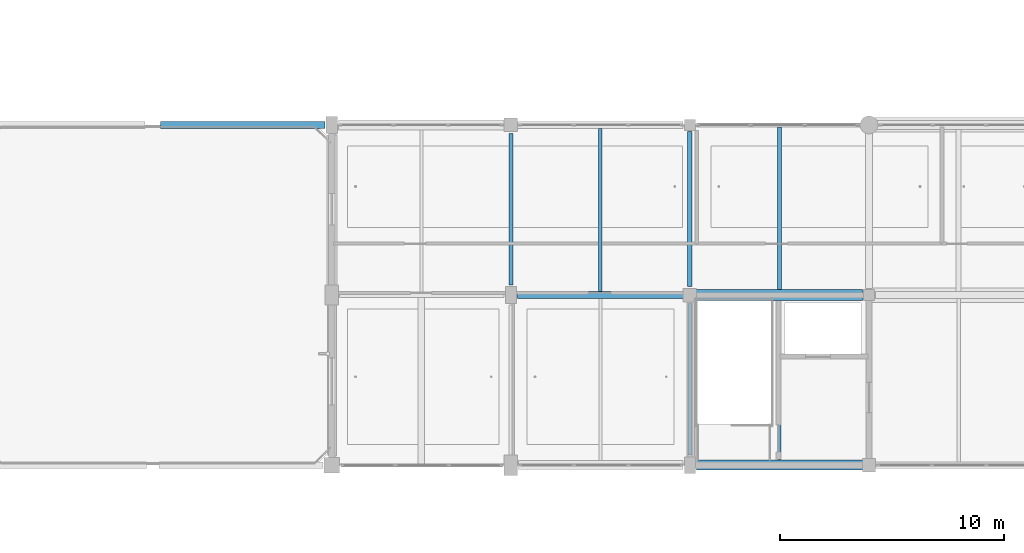
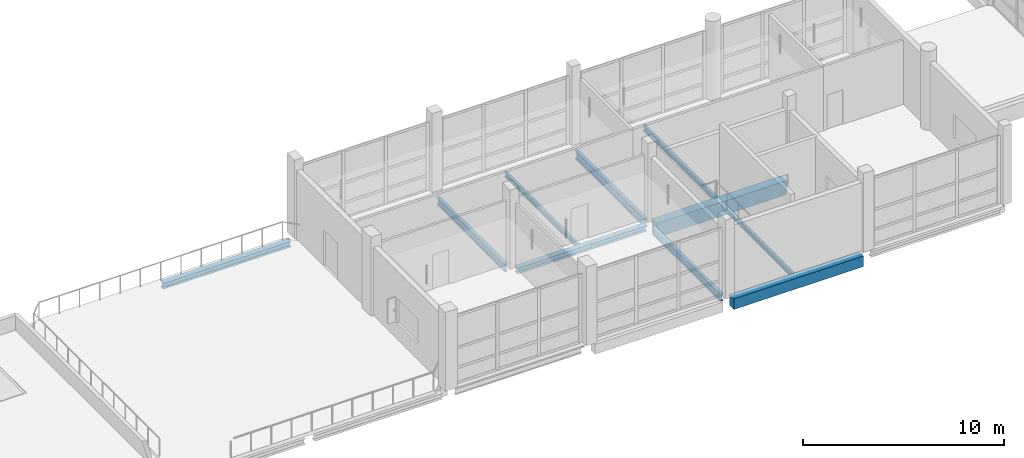
# One storey, part 21 of 107: 10 beams.
"""IFC4 building model written with IfcOpenShell, lengths in metres."""

from ifc_helpers import new_model, si_unit, direction, frame, origin, origin_2d, place, context, subcontext, project, spatial, rectangle, i_section, extrude, material, material_profile, profile_set, type_object, element, save


model = new_model("IFC4")

# Units and contexts
model_context = context("Model", 3, precision=1e-05, world=origin(), true_north=direction((0.0, 1.0)))
body_context = subcontext(model_context, "Body", "Model", "MODEL_VIEW")
ifc_project = project(units=[si_unit("LENGTHUNIT", "METRE"), si_unit("AREAUNIT", "SQUARE_METRE"), si_unit("VOLUMEUNIT", "CUBIC_METRE"), si_unit("PLANEANGLEUNIT", "RADIAN"), si_unit("MASSUNIT", "GRAM", prefix="KILO")], contexts=[model_context])

# Site, building, storey
site_placement = place(None, origin())
site = spatial("IfcSite", under=ifc_project, at=site_placement, CompositionType="ELEMENT")
building_placement = place(site_placement, origin())
building = spatial("IfcBuilding", under=site, at=building_placement, Name="Khelvaren Railside Concert Hall", CompositionType="ELEMENT")
storey_placement = place(building_placement, frame((0.0, 0.0, 15.0)))
storey = spatial("IfcBuildingStorey", under=building, at=storey_placement, Name="L03", CompositionType="ELEMENT", Elevation=15.0)

# Beams
ifc_material_1 = material(Name="Steel S355", Category="steel")
ifc_material_profile_1 = material_profile(ifc_material_1, i_section(OverallWidth=0.199951171875, OverallDepth=0.5, WebThickness=0.01025390625, FlangeThickness=0.01611328125, FilletRadius=0.02099609375, at=origin_2d()), Name="IPE 500")
ifc_profile_set_1 = profile_set([ifc_material_profile_1], Name="Steel S355")
beam_type_1 = type_object("IfcBeamType", Name="BM62", PredefinedType="BEAM", material=ifc_profile_set_1)
beam_1_placement = place(storey_placement, frame((120.0, 7.97509765625, -0.530029296875), z_axis=(0.0, 1.0, 0.0), x_axis=(-1.0, 0.0, 0.0)))
element("IfcBeam", 1, at=beam_1_placement, inside=storey, type_object=beam_type_1, Name="V3 L03 Beam Y8.2", PredefinedType="BEAM", context=body_context, shape_type="SweptSolid", body=[
    extrude(i_section(OverallWidth=0.199951171875, OverallDepth=0.5, WebThickness=0.01025390625, FlangeThickness=0.01611328125, FilletRadius=0.02099609375, at=origin_2d()), origin(), (0.0, 0.0, 1.0), 6.9248046875),
])
ifc_material_profile_2 = material_profile(ifc_material_1, i_section(OverallWidth=0.300048828125, OverallDepth=0.35009765625, WebThickness=0.010009765625, FlangeThickness=0.017578125, FilletRadius=0.027099609375, at=origin_2d()), Name="HEA 360")
ifc_profile_set_2 = profile_set([ifc_material_profile_2], Name="Steel S355")
beam_type_2 = type_object("IfcBeamType", Name="BM73", PredefinedType="BEAM", material=ifc_profile_set_2)
beam_2_placement = place(storey_placement, frame((112.300048828125, 7.60009765625, -0.455078125), z_axis=(1.0, 0.0, 0.0), x_axis=(0.0, 1.0, 0.0)))
element("IfcBeam", 2, at=beam_2_placement, inside=storey, type_object=beam_type_2, Name="V3 L03 Beam X2.7", PredefinedType="BEAM", context=body_context, shape_type="SweptSolid", body=[
    extrude(i_section(OverallWidth=0.300048828125, OverallDepth=0.35009765625, WebThickness=0.010009765625, FlangeThickness=0.017578125, FilletRadius=0.027099609375, at=origin_2d()), origin(), (0.0, 0.0, 1.0), 7.449951171875),
])
ifc_material_profile_3 = material_profile(ifc_material_1, i_section(OverallWidth=0.18994140625, OverallDepth=0.449951171875, WebThickness=0.009521484375, FlangeThickness=0.0146484375, FilletRadius=0.02099609375, at=origin_2d()), Name="IPE 450")
ifc_profile_set_3 = profile_set([ifc_material_profile_3], Name="Steel S355")
beam_type_3 = type_object("IfcBeamType", Name="BM95", PredefinedType="BEAM", material=ifc_profile_set_3)
beam_3_placement = place(storey_placement, frame((112.0, 8.050048828125, -0.5048828125), z_axis=(0.0, 1.0, 0.0), x_axis=(-1.0, 0.0, 0.0)))
element("IfcBeam", 3, at=beam_3_placement, inside=storey, type_object=beam_type_3, Name="V3 L03 Beam Y7.2", PredefinedType="BEAM", context=body_context, shape_type="SweptSolid", body=[
    extrude(i_section(OverallWidth=0.18994140625, OverallDepth=0.449951171875, WebThickness=0.009521484375, FlangeThickness=0.0146484375, FilletRadius=0.02099609375, at=origin_2d()), origin(), (0.0, 0.0, 1.0), 6.77490234375),
])
beam_4_placement = place(storey_placement, frame((120.0, 0.449951171875, -0.5048828125), z_axis=(0.0, 1.0, 0.0), x_axis=(-1.0, 0.0, 0.0)))
element("IfcBeam", 4, at=beam_4_placement, inside=storey, type_object=beam_type_3, Name="V3 L03 Beam Y8.1", PredefinedType="BEAM", context=body_context, shape_type="SweptSolid", body=[
    extrude(i_section(OverallWidth=0.18994140625, OverallDepth=0.449951171875, WebThickness=0.009521484375, FlangeThickness=0.0146484375, FilletRadius=0.02099609375, at=origin_2d()), origin(), (0.0, 0.0, 1.0), 6.775146484375),
])
ifc_material_2 = material(Name="Concrete C40/50", Category="concrete")
ifc_material_profile_4 = material_profile(ifc_material_2, rectangle(XDim=0.5, YDim=0.85009765625, at=origin_2d()), Name="RCB 500x850")
ifc_profile_set_4 = profile_set([ifc_material_profile_4], Name="Concrete C40/50")
beam_type_4 = type_object("IfcBeamType", Name="GR96", PredefinedType="T_BEAM", material=ifc_profile_set_4)
beam_5_placement = place(storey_placement, frame((120.25, 7.60009765625, -0.705078125), z_axis=(1.0, 0.0, 0.0), x_axis=(0.0, 1.0, 0.0)))
element("IfcBeam", 5, at=beam_5_placement, inside=storey, type_object=beam_type_4, Name="V3 L03 T_Beam X2.8", PredefinedType="T_BEAM", context=body_context, shape_type="SweptSolid", body=[
    extrude(rectangle(XDim=0.5, YDim=0.85009765625, at=origin_2d()), origin(), (0.0, 0.0, 1.0), 7.449951171875),
])
ifc_material_profile_5 = material_profile(ifc_material_1, i_section(OverallWidth=0.14990234375, OverallDepth=0.300048828125, WebThickness=0.007080078125, FlangeThickness=0.0107421875, FilletRadius=0.014892578125, at=origin_2d()), Name="IPE 300")
ifc_profile_set_5 = profile_set([ifc_material_profile_5], Name="Steel S355")
beam_type_5 = type_object("IfcBeamType", Name="JS26", PredefinedType="JOIST", material=ifc_profile_set_5)
beam_6_placement = place(storey_placement, frame((116.0, 7.75, -0.429931640625), z_axis=(0.0, 1.0, 0.0), x_axis=(-1.0, 0.0, 0.0)))
element("IfcBeam", 6, at=beam_6_placement, inside=storey, type_object=beam_type_5, Name="V3 L03 Secondary Joist 7.2", PredefinedType="JOIST", context=body_context, shape_type="SweptSolid", body=[
    extrude(i_section(OverallWidth=0.14990234375, OverallDepth=0.300048828125, WebThickness=0.007080078125, FlangeThickness=0.0107421875, FilletRadius=0.014892578125, at=origin_2d()), origin(), (0.0, 0.0, 1.0), 7.300048828125),
])
beam_7_placement = place(storey_placement, frame((124.0, 0.22509765625, -0.429931640625), z_axis=(0.0, 1.0, 0.0), x_axis=(-1.0, 0.0, 0.0)))
element("IfcBeam", 7, at=beam_7_placement, inside=storey, type_object=beam_type_5, Name="V3 L03 Secondary Joist 8.1", PredefinedType="JOIST", context=body_context, shape_type="SweptSolid", body=[
    extrude(i_section(OverallWidth=0.14990234375, OverallDepth=0.300048828125, WebThickness=0.007080078125, FlangeThickness=0.0107421875, FilletRadius=0.014892578125, at=origin_2d()), origin(), (0.0, 0.0, 1.0), 7.125),
])
ifc_material_profile_6 = material_profile(ifc_material_1, i_section(OverallWidth=0.159912109375, OverallDepth=0.330078125, WebThickness=0.007568359375, FlangeThickness=0.011474609375, FilletRadius=0.01806640625, at=origin_2d()), Name="IPE 330")
ifc_profile_set_6 = profile_set([ifc_material_profile_6], Name="Steel S355")
beam_type_6 = type_object("IfcBeamType", Name="JS65", PredefinedType="JOIST", material=ifc_profile_set_6)
beam_8_placement = place(storey_placement, frame((124.0, 7.85009765625, -0.445068359375), z_axis=(0.0, 1.0, 0.0), x_axis=(-1.0, 0.0, 0.0)))
element("IfcBeam", 8, at=beam_8_placement, inside=storey, type_object=beam_type_6, Name="V3 L03 Secondary Joist 8.2", PredefinedType="JOIST", context=body_context, shape_type="SweptSolid", body=[
    extrude(i_section(OverallWidth=0.159912109375, OverallDepth=0.330078125, WebThickness=0.007568359375, FlangeThickness=0.011474609375, FilletRadius=0.01806640625, at=origin_2d()), origin(), (0.0, 0.0, 1.0), 7.264892578125),
])
ifc_material_profile_7 = material_profile(ifc_material_2, rectangle(XDim=0.449951171875, YDim=0.64990234375, at=origin_2d()), Name="RCB 450x650")
ifc_profile_set_7 = profile_set([ifc_material_profile_7], Name="Concrete C40/50")
beam_type_7 = type_object("IfcBeamType", Name="SP34", PredefinedType="SPANDREL", material=ifc_profile_set_7)
beam_9_placement = place(storey_placement, frame((120.300048828125, 0.0, -0.60498046875), z_axis=(1.0, 0.0, 0.0), x_axis=(0.0, 1.0, 0.0)))
element("IfcBeam", 9, at=beam_9_placement, inside=storey, type_object=beam_type_7, Name="V3 L03 Spandrel X1.8", PredefinedType="SPANDREL", context=body_context, shape_type="SweptSolid", body=[
    extrude(rectangle(XDim=0.449951171875, YDim=0.64990234375, at=origin_2d()), origin(), (0.0, 0.0, 1.0), 7.449951171875),
])
ifc_material_profile_8 = material_profile(ifc_material_1, i_section(OverallWidth=0.300048828125, OverallDepth=0.35009765625, WebThickness=0.010009765625, FlangeThickness=0.017578125, FilletRadius=0.027099609375, at=origin_2d()), Name="HEA 360")
ifc_profile_set_8 = profile_set([ifc_material_profile_8], Name="Steel S355")
beam_type_8 = type_object("IfcBeamType", Name="SP38", PredefinedType="SPANDREL", material=ifc_profile_set_8)
beam_10_placement = place(storey_placement, frame((96.35009765625, 15.199951171875, -0.39501953125), z_axis=(1.0, 0.0, 0.0), x_axis=(0.0, 1.0, 0.0)))
element("IfcBeam", 10, at=beam_10_placement, inside=storey, type_object=beam_type_8, Name="V3 L03 Terrace Edge Spandrel 13", PredefinedType="SPANDREL", context=body_context, shape_type="SweptSolid", body=[
    extrude(i_section(OverallWidth=0.300048828125, OverallDepth=0.35009765625, WebThickness=0.010009765625, FlangeThickness=0.017578125, FilletRadius=0.027099609375, at=origin_2d()), origin(), (0.0, 0.0, 1.0), 7.349853515625),
])

save(model, "model.ifc")
